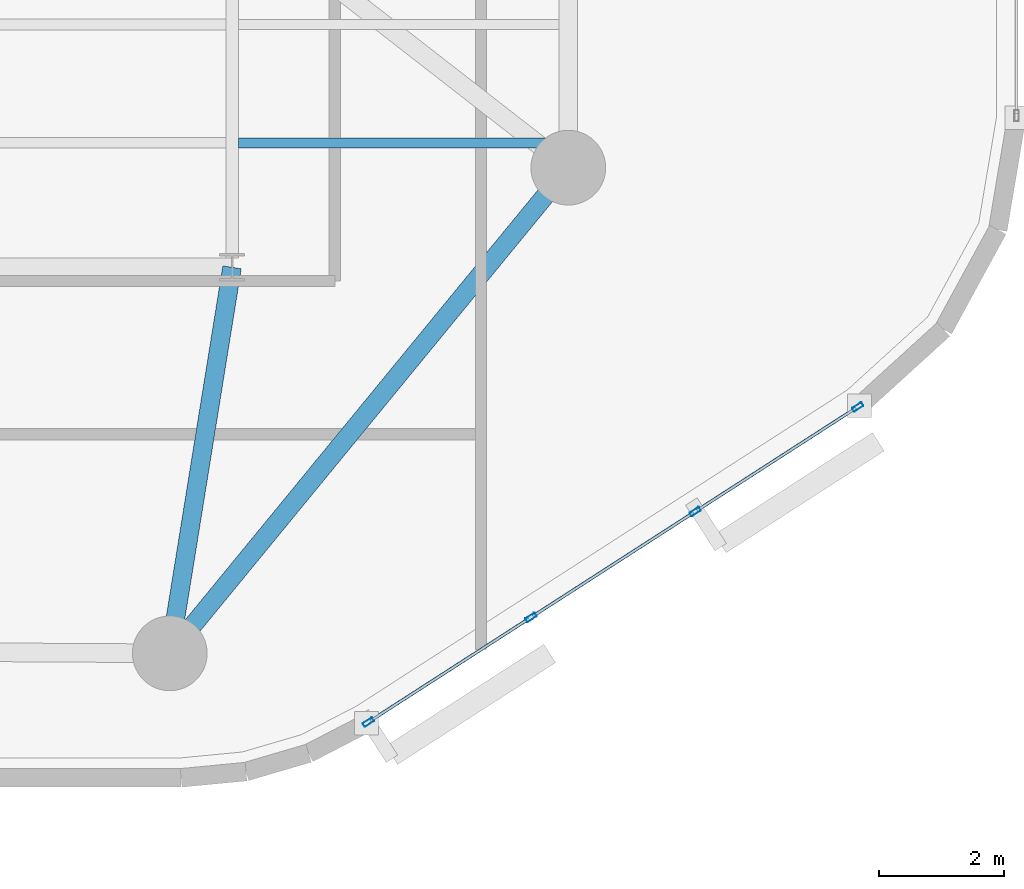
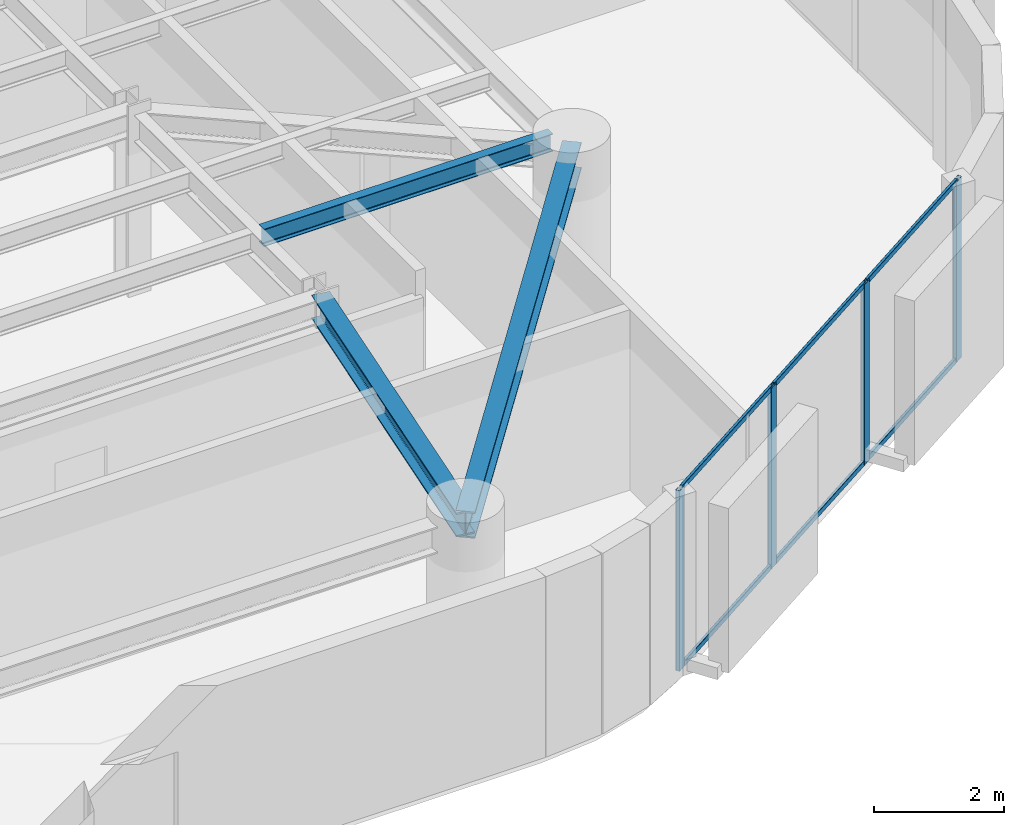
# One storey, part 2 of 15: 10 members, 3 beams, 1 element without a shape of its own.
"""IFC4 building model written with IfcOpenShell, lengths in metres."""

import ifcopenshell
import ifcopenshell.guid

model = None  # the IFC model being written
_history = None  # IfcOwnerHistory: only IFC2X3 demands one
_inside = {}  # id of a spatial element -> (the spatial element, [elements in it])
_under = {}  # id of a project, library or spatial element -> (it, [spatial elements below it])
_declared = {}  # id of a project -> (the project, [libraries it declares])
_typed = {}  # id of a type object -> (the type object, [elements of that type])
_made_of = {}  # id of a material, layer set ... -> (it, [elements and type objects made of it])


def new_model(schema):
    """Start an empty IFC model of exactly this schema.

    Asked for "IFC4X3", IfcOpenShell would pick the latest addendum, in which some entities
    have other attributes; the version numbers below select the first issue.
    IFC2X3 requires an IfcOwnerHistory on every rooted entity: one is made here for all.
    """
    global model, _history
    if schema == "IFC4X3":
        model = ifcopenshell.file(schema_version=(4, 3, 0, 0))
    else:
        model = ifcopenshell.file(schema=schema)
    _inside.clear()
    _under.clear()
    _declared.clear()
    _typed.clear()
    _made_of.clear()
    _history = None
    if model.schema == "IFC2X3":
        org = make("IfcOrganization", Name="unknown")
        user = make(
            "IfcPersonAndOrganization",
            ThePerson=make("IfcPerson", FamilyName="unknown"),
            TheOrganization=org,
        )
        app = make(
            "IfcApplication",
            ApplicationDeveloper=org,
            Version="unknown",
            ApplicationFullName="unknown",
            ApplicationIdentifier="unknown",
        )
        _history = make(
            "IfcOwnerHistory",
            OwningUser=user,
            OwningApplication=app,
            ChangeAction="ADDED",
            CreationDate=0,
        )
    return model


def make(cls, **values):
    """One entity of the class cls with the attributes given. An attribute that is None is left unset."""
    return model.create_entity(
        cls, **{name: value for name, value in values.items() if value is not None}
    )


def rooted(cls, **values):
    """An entity with a GlobalId (a new one), such as an element, a storey or a relation."""
    return make(cls, GlobalId=ifcopenshell.guid.new(), OwnerHistory=_history, **values)


def si_unit(unit_type, name, prefix=None):
    """IfcSIUnit, for example si_unit("LENGTHUNIT", "METRE", prefix="MILLI")."""
    return make("IfcSIUnit", UnitType=unit_type, Prefix=prefix, Name=name)


def assignment(units):
    """IfcUnitAssignment: the units of a project."""
    return None if units is None else make("IfcUnitAssignment", Units=units)


def point(xyz):
    """IfcCartesianPoint."""
    return None if xyz is None else make("IfcCartesianPoint", Coordinates=xyz)


def direction(xyz):
    """IfcDirection."""
    return None if xyz is None else make("IfcDirection", DirectionRatios=xyz)


def frame(location, z_axis=None, x_axis=None):
    """IfcAxis2Placement3D, a coordinate frame: its origin and axes. An axis left out is left unset."""
    return make(
        "IfcAxis2Placement3D",
        Location=point(location),
        Axis=direction(z_axis),
        RefDirection=direction(x_axis),
    )


def frame_2d(location, x_axis=None):
    """IfcAxis2Placement2D, a coordinate frame in the plane: its origin and x axis."""
    return make(
        "IfcAxis2Placement2D", Location=point(location), RefDirection=direction(x_axis)
    )


def origin():
    """The frame at (0, 0, 0) with its axes left unset."""
    return frame((0.0, 0.0, 0.0))


def origin_2d():
    """The frame at (0, 0) in the plane with its x axis left unset."""
    return frame_2d((0.0, 0.0))


def place(relative_to, where):
    """IfcLocalPlacement: puts the frame where relative to a parent placement (None: the world)."""
    return make(
        "IfcLocalPlacement", PlacementRelTo=relative_to, RelativePlacement=where
    )


def context(
    kind, dimensions, precision=None, world=None, true_north=None, identifier=None
):
    """IfcGeometricRepresentationContext, for example the 3D "Model" context."""
    return make(
        "IfcGeometricRepresentationContext",
        ContextIdentifier=identifier,
        ContextType=kind,
        CoordinateSpaceDimension=dimensions,
        Precision=precision,
        WorldCoordinateSystem=world,
        TrueNorth=true_north,
    )


def subcontext(parent, identifier, kind, view, scale=None):
    """IfcGeometricRepresentationSubContext, for example "Body" below "Model"."""
    return make(
        "IfcGeometricRepresentationSubContext",
        ContextIdentifier=identifier,
        ContextType=kind,
        ParentContext=parent,
        TargetScale=scale,
        TargetView=view,
    )


def project(units=None, contexts=None):
    """IfcProject with its units and contexts."""
    return rooted(
        "IfcProject",
        Name="project",
        RepresentationContexts=contexts,
        UnitsInContext=assignment(units),
    )


def spatial(cls, under=None, at=None, **own):
    """A site, building, storey or space (cls), placed at a placement, below another one or the project."""
    s = rooted(cls, ObjectPlacement=at, **own)
    if under is not None:
        _under.setdefault(under.id(), (under, []))[1].append(s)
    return s


def profile(cls, at=None, kind="AREA", **sizes):
    """A parametric profile (cls). Its sizes go by their IFC names, for example OverallWidth=200.0."""
    return make(cls, ProfileType=kind, Position=at, **sizes)


def hollow_rectangle(**sizes):
    """IfcRectangleHollowProfileDef."""
    return profile("IfcRectangleHollowProfileDef", **sizes)


def i_section(**sizes):
    """IfcIShapeProfileDef."""
    return profile("IfcIShapeProfileDef", **sizes)


def extrude(swept, where, along, depth):
    """IfcExtrudedAreaSolid: the profile swept, set in the frame where, extruded along a direction by depth."""
    return make(
        "IfcExtrudedAreaSolid",
        SweptArea=swept,
        Position=where,
        ExtrudedDirection=direction(along),
        Depth=depth,
    )


def shape(context_of_items, identifier, shape_type, items):
    """IfcShapeRepresentation: the items that make up one representation, for example the "Body"."""
    return make(
        "IfcShapeRepresentation",
        ContextOfItems=context_of_items,
        RepresentationIdentifier=identifier,
        RepresentationType=shape_type,
        Items=items,
    )


def material(Name=None, Category=None):
    """IfcMaterial."""
    return make("IfcMaterial", Name=Name, Category=Category)


def layer(
    of_material, thickness, ventilated=None, Name=None, Category=None, Priority=None
):
    """IfcMaterialLayer: one layer of a wall or slab, of a material (None: an air gap)."""
    return make(
        "IfcMaterialLayer",
        Material=of_material,
        LayerThickness=thickness,
        IsVentilated=ventilated,
        Name=Name,
        Category=Category,
        Priority=Priority,
    )


def layer_set(layers, Name=None):
    """IfcMaterialLayerSet."""
    return make("IfcMaterialLayerSet", MaterialLayers=layers, LayerSetName=Name)


def material_profile(
    of_material, cross_section, Name=None, Category=None, Priority=None
):
    """IfcMaterialProfile: a cross section and its material."""
    return make(
        "IfcMaterialProfile",
        Name=Name,
        Material=of_material,
        Profile=cross_section,
        Priority=Priority,
        Category=Category,
    )


def profile_set(profiles, Name=None, composite=None):
    """IfcMaterialProfileSet."""
    return make(
        "IfcMaterialProfileSet",
        Name=Name,
        MaterialProfiles=profiles,
        CompositeProfile=composite,
    )


def made_of(thing, what):
    """Note that an element or type object is made of a material, layer set ...; save() writes the relation."""
    if what is not None:
        _made_of.setdefault(what.id(), (what, []))[1].append(thing)
    return thing


def type_object(cls, material=None, **own):
    """A type object (cls), such as IfcWallType, which elements share."""
    return made_of(rooted(cls, **own), material)


def element(
    cls,
    number,
    at=None,
    inside=None,
    cuts=None,
    type_object=None,
    material=None,
    context=None,
    identifier="Body",
    shape_type=None,
    held_by="IfcProductDefinitionShape",
    body=None,
    shapes=None,
    **own,
):
    """One element of the class cls, such as IfcWall. Its Tag is "e" and its number.

    at: its placement. inside: the storey or other place that contains it. cuts: it is an
    opening in that element (IfcRelVoidsElement). A single representation is given by context,
    identifier, shape_type and body (its items); several are given by shapes. held_by: the class
    of the entity that holds the representations. save() writes the other relations.
    """
    e = rooted(cls, Tag="e%d" % number, ObjectPlacement=at, **own)
    if body is not None:
        shapes = [shape(context, identifier, shape_type, body)]
    if shapes is not None:
        e.Representation = make(held_by, Representations=shapes)
    if inside is not None:
        _inside.setdefault(inside.id(), (inside, []))[1].append(e)
    if cuts is not None:
        rooted(
            "IfcRelVoidsElement", RelatingBuildingElement=cuts, RelatedOpeningElement=e
        )
    if type_object is not None:
        _typed.setdefault(type_object.id(), (type_object, []))[1].append(e)
    return made_of(e, material)


def aggregate(whole, parts):
    """IfcRelAggregates: a whole, such as a stair, and the parts it consists of."""
    return rooted("IfcRelAggregates", RelatingObject=whole, RelatedObjects=parts)


def save(model, path):
    """Write the relations noted so far, then the file.

    IfcRelAggregates (storeys below a building ...), IfcRelContainedInSpatialStructure (elements
    in a storey), IfcRelDefinesByType, IfcRelAssociatesMaterial and IfcRelDeclares: one each for
    every whole, place, type object, material and project.
    """
    for whole, parts in _under.values():
        aggregate(whole, parts)
    for where, things in _inside.values():
        rooted(
            "IfcRelContainedInSpatialStructure",
            RelatedElements=things,
            RelatingStructure=where,
        )
    for kind, things in _typed.values():
        rooted("IfcRelDefinesByType", RelatedObjects=things, RelatingType=kind)
    for what, things in _made_of.values():
        rooted("IfcRelAssociatesMaterial", RelatedObjects=things, RelatingMaterial=what)
    for by, libraries in _declared.values():
        rooted("IfcRelDeclares", RelatingContext=by, RelatedDefinitions=libraries)
    model.write(path)


model = new_model("IFC4")

# Units and contexts
model_context = context("Model", 3, precision=1e-05, world=origin(), true_north=direction((0.0, 1.0)))
body_context = subcontext(model_context, "Body", "Model", "MODEL_VIEW")
ifc_project = project(units=[si_unit("LENGTHUNIT", "METRE"), si_unit("AREAUNIT", "SQUARE_METRE"), si_unit("VOLUMEUNIT", "CUBIC_METRE"), si_unit("PLANEANGLEUNIT", "RADIAN"), si_unit("MASSUNIT", "GRAM", prefix="KILO")], contexts=[model_context])

# Site, building, storey
site_placement = place(None, origin())
site = spatial("IfcSite", under=ifc_project, at=site_placement, CompositionType="ELEMENT")
building_placement = place(site_placement, origin())
building = spatial("IfcBuilding", under=site, at=building_placement, Name="An Khanh Terracotta Commons", CompositionType="ELEMENT")
storey_placement = place(building_placement, frame((0.0, 0.0, 165.39990234375)))
storey = spatial("IfcBuildingStorey", under=building, at=storey_placement, Name="L43", CompositionType="ELEMENT", Elevation=165.39990234375)

# Beams
ifc_material_1 = material(Name="Steel S355J2", Category="steel")
ifc_material_profile_1 = material_profile(ifc_material_1, i_section(OverallWidth=0.300048828125, OverallDepth=0.449951171875, WebThickness=0.013916015625, FlangeThickness=0.02587890625, FilletRadius=0.027099609375, at=origin_2d()), Name="HEB450")
ifc_profile_set_1 = profile_set([ifc_material_profile_1], Name="Steel S355J2")
beam_type_1 = type_object("IfcBeamType", Name="BM-HEB450", PredefinedType="BEAM", material=ifc_profile_set_1)
beam_1_placement = place(storey_placement, frame((49.39990234375, 8.199951171875, 3.175048828125), z_axis=(0.159233661074, 0.987240923575, 0.0), x_axis=(-0.987240923575, 0.159233661074, 0.0)))
element("IfcBeam", 1, at=beam_1_placement, inside=storey, type_object=beam_type_1, Name="L43 Mega-Column Tie Girder 2", PredefinedType="BEAM", context=body_context, shape_type="SweptSolid", body=[
    extrude(i_section(OverallWidth=0.300048828125, OverallDepth=0.449951171875, WebThickness=0.013916015625, FlangeThickness=0.02587890625, FilletRadius=0.027099609375, at=origin_2d()), origin(), (0.0, 0.0, 1.0), 6.280029296875),
])
ifc_material_profile_2 = material_profile(ifc_material_1, i_section(OverallWidth=0.300048828125, OverallDepth=0.5, WebThickness=0.014404296875, FlangeThickness=0.028076171875, FilletRadius=0.027099609375, at=origin_2d()), Name="HEB500")
ifc_profile_set_2 = profile_set([ifc_material_profile_2], Name="Steel S355J2")
beam_type_2 = type_object("IfcBeamType", Name="BM-HEB500", PredefinedType="BEAM", material=ifc_profile_set_2)
beam_2_placement = place(storey_placement, frame((49.39990234375, 8.199951171875, 3.150146484375), z_axis=(0.634322915223, 0.7730681983, 0.0), x_axis=(-0.7730681983, 0.634322915223, 0.0)))
element("IfcBeam", 2, at=beam_2_placement, inside=storey, type_object=beam_type_2, Name="L43 Perimeter Ring Spandrel 2", PredefinedType="BEAM", context=body_context, shape_type="SweptSolid", body=[
    extrude(i_section(OverallWidth=0.300048828125, OverallDepth=0.5, WebThickness=0.014404296875, FlangeThickness=0.028076171875, FilletRadius=0.027099609375, at=origin_2d()), origin(), (0.0, 0.0, 1.0), 10.08984375),
])
ifc_material_profile_3 = material_profile(ifc_material_1, i_section(OverallWidth=0.159912109375, OverallDepth=0.330078125, WebThickness=0.007568359375, FlangeThickness=0.011474609375, FilletRadius=0.01806640625, at=origin_2d()), Name="IPE330")
ifc_profile_set_3 = profile_set([ifc_material_profile_3], Name="Steel S355J2")
beam_type_3 = type_object("IfcBeamType", Name="BM-IPE330", PredefinedType="JOIST", material=ifc_profile_set_3)
beam_3_placement = place(storey_placement, frame((50.5, 16.39990234375, 3.235107421875), z_axis=(1.0, 0.0, 0.0), x_axis=(0.0, 1.0, 0.0)))
element("IfcBeam", 3, at=beam_3_placement, inside=storey, type_object=beam_type_3, Name="L43 Riverfront Composite Joist 1", PredefinedType="JOIST", context=body_context, shape_type="SweptSolid", body=[
    extrude(i_section(OverallWidth=0.159912109375, OverallDepth=0.330078125, WebThickness=0.007568359375, FlangeThickness=0.011474609375, FilletRadius=0.01806640625, at=origin_2d()), origin(), (0.0, 0.0, 1.0), 5.14990234375),
])

# Curtain wall, members
ifc_material_2 = material(Name="Anodised Aluminium 6063-T6", Category="aluminium")
ifc_layer = layer(ifc_material_2, 0.2099609375, Name="Anodised Aluminium 6063-T6")
ifc_layer_set = layer_set([ifc_layer], Name="Anodised Aluminium 6063-T6")
curtain_wall_type = type_object("IfcCurtainWallType", Name="CW-SYS-03", PredefinedType="USERDEFINED", material=ifc_layer_set)
curtain_wall_placement = place(storey_placement, origin())
curtain_wall = element("IfcCurtainWall", 4, at=curtain_wall_placement, inside=storey, type_object=curtain_wall_type, Name="L43 CW-03 Unitised Curtain Wall CW-L43-08", ObjectType="UNITISED CURTAIN WALL", PredefinedType="USERDEFINED")
ifc_material_profile_4 = material_profile(ifc_material_2, hollow_rectangle(XDim=0.070068359375, YDim=0.179931640625, WallThickness=0.00390625, InnerFilletRadius=0.00390625, OuterFilletRadius=0.008056640625, at=origin_2d()), Name="RHS180x70x4")
ifc_profile_set_4 = profile_set([ifc_material_profile_4], Name="Anodised Aluminium 6063-T6")
member_type_1 = type_object("IfcMemberType", Name="CWM-RHS180x70x4", PredefinedType="MULLION", material=ifc_profile_set_4)
member_1_placement = place(storey_placement, frame((52.58935546875, 7.094970703125, 0.0), z_axis=(0.0, 0.0, 1.0), x_axis=(-0.541497931062, 0.840702081986, 0.0)))
member_1 = element("IfcMember", 5, at=member_1_placement, type_object=member_type_1, Name="CW-03 mullion 1", PredefinedType="MULLION", context=body_context, shape_type="SweptSolid", body=[
    extrude(hollow_rectangle(XDim=0.070068359375, YDim=0.179931640625, WallThickness=0.00390625, InnerFilletRadius=0.00390625, OuterFilletRadius=0.008056640625, at=origin_2d()), origin(), (0.0, 0.0, 1.0), 3.400146484375),
])
member_2_placement = place(storey_placement, frame((55.19921875, 8.77587890625, 0.0), z_axis=(0.0, 0.0, 1.0), x_axis=(-0.541497931062, 0.840702081986, 0.0)))
member_2 = element("IfcMember", 6, at=member_2_placement, type_object=member_type_1, Name="CW-03 mullion 2", PredefinedType="MULLION", context=body_context, shape_type="SweptSolid", body=[
    extrude(hollow_rectangle(XDim=0.070068359375, YDim=0.179931640625, WallThickness=0.00390625, InnerFilletRadius=0.00390625, OuterFilletRadius=0.008056640625, at=origin_2d()), origin(), (0.0, 0.0, 1.0), 3.400146484375),
])
member_3_placement = place(storey_placement, frame((57.838623046875, 10.47607421875, 0.0), z_axis=(0.0, 0.0, 1.0), x_axis=(-0.541497931062, 0.840702081986, 0.0)))
member_3 = element("IfcMember", 7, at=member_3_placement, type_object=member_type_1, Name="CW-03 mullion 3", PredefinedType="MULLION", context=body_context, shape_type="SweptSolid", body=[
    extrude(hollow_rectangle(XDim=0.070068359375, YDim=0.179931640625, WallThickness=0.00390625, InnerFilletRadius=0.00390625, OuterFilletRadius=0.008056640625, at=origin_2d()), origin(), (0.0, 0.0, 1.0), 3.400146484375),
])
member_4_placement = place(storey_placement, frame((60.448486328125, 12.156982421875, 0.0), z_axis=(0.0, 0.0, 1.0), x_axis=(-0.541497931062, 0.840702081986, 0.0)))
member_4 = element("IfcMember", 8, at=member_4_placement, type_object=member_type_1, Name="CW-03 mullion 4", PredefinedType="MULLION", context=body_context, shape_type="SweptSolid", body=[
    extrude(hollow_rectangle(XDim=0.070068359375, YDim=0.179931640625, WallThickness=0.00390625, InnerFilletRadius=0.00390625, OuterFilletRadius=0.008056640625, at=origin_2d()), origin(), (0.0, 0.0, 1.0), 3.400146484375),
])
ifc_material_profile_5 = material_profile(ifc_material_2, hollow_rectangle(XDim=0.050048828125, YDim=0.10009765625, WallThickness=0.003173828125, InnerFilletRadius=0.003173828125, OuterFilletRadius=0.00634765625, at=origin_2d()), Name="RHS100x50x3.2")
ifc_profile_set_5 = profile_set([ifc_material_profile_5], Name="Anodised Aluminium 6063-T6")
member_type_2 = type_object("IfcMemberType", Name="CWT-RHS100x50x3.2", PredefinedType="USERDEFINED", material=ifc_profile_set_5)
member_5_placement = place(storey_placement, frame((52.618896484375, 7.114013671875, 0.025146484375), z_axis=(0.840710223453, 0.541485290826, 0.0), x_axis=(-0.541485290826, 0.840710223453, 0.0)))
member_5 = element("IfcMember", 9, at=member_5_placement, type_object=member_type_2, Name="CW-03 transom 1.1", ObjectType="TRANSOM", PredefinedType="USERDEFINED", context=body_context, shape_type="SweptSolid", body=[
    extrude(hollow_rectangle(XDim=0.050048828125, YDim=0.10009765625, WallThickness=0.003173828125, InnerFilletRadius=0.003173828125, OuterFilletRadius=0.00634765625, at=origin_2d()), origin(), (0.0, 0.0, 1.0), 3.034423828125),
])
member_6_placement = place(storey_placement, frame((52.618896484375, 7.114013671875, 3.375), z_axis=(0.840710223453, 0.541485290826, 0.0), x_axis=(-0.541485290826, 0.840710223453, 0.0)))
member_6 = element("IfcMember", 10, at=member_6_placement, type_object=member_type_2, Name="CW-03 transom 1.2", ObjectType="TRANSOM", PredefinedType="USERDEFINED", context=body_context, shape_type="SweptSolid", body=[
    extrude(hollow_rectangle(XDim=0.050048828125, YDim=0.10009765625, WallThickness=0.003173828125, InnerFilletRadius=0.003173828125, OuterFilletRadius=0.00634765625, at=origin_2d()), origin(), (0.0, 0.0, 1.0), 3.034423828125),
])
member_7_placement = place(storey_placement, frame((55.228759765625, 8.794921875, 0.025146484375), z_axis=(0.840707825526, 0.54148901383, 0.0), x_axis=(-0.54148901383, 0.840707825526, 0.0)))
member_7 = element("IfcMember", 11, at=member_7_placement, type_object=member_type_2, Name="CW-03 transom 2.1", ObjectType="TRANSOM", PredefinedType="USERDEFINED", context=body_context, shape_type="SweptSolid", body=[
    extrude(hollow_rectangle(XDim=0.050048828125, YDim=0.10009765625, WallThickness=0.003173828125, InnerFilletRadius=0.003173828125, OuterFilletRadius=0.00634765625, at=origin_2d()), origin(), (0.0, 0.0, 1.0), 3.069580078125),
])
member_8_placement = place(storey_placement, frame((55.228759765625, 8.794921875, 3.375), z_axis=(0.840707825526, 0.54148901383, 0.0), x_axis=(-0.54148901383, 0.840707825526, 0.0)))
member_8 = element("IfcMember", 12, at=member_8_placement, type_object=member_type_2, Name="CW-03 transom 2.2", ObjectType="TRANSOM", PredefinedType="USERDEFINED", context=body_context, shape_type="SweptSolid", body=[
    extrude(hollow_rectangle(XDim=0.050048828125, YDim=0.10009765625, WallThickness=0.003173828125, InnerFilletRadius=0.003173828125, OuterFilletRadius=0.00634765625, at=origin_2d()), origin(), (0.0, 0.0, 1.0), 3.069580078125),
])
member_9_placement = place(storey_placement, frame((57.8681640625, 10.494873046875, 0.025146484375), z_axis=(0.840673595852, 0.541542154626, 0.0), x_axis=(-0.541542154626, 0.840673595852, 0.0)))
member_9 = element("IfcMember", 13, at=member_9_placement, type_object=member_type_2, Name="CW-03 transom 3.1", ObjectType="TRANSOM", PredefinedType="USERDEFINED", context=body_context, shape_type="SweptSolid", body=[
    extrude(hollow_rectangle(XDim=0.050048828125, YDim=0.10009765625, WallThickness=0.003173828125, InnerFilletRadius=0.003173828125, OuterFilletRadius=0.00634765625, at=origin_2d()), origin(), (0.0, 0.0, 1.0), 3.034423828125),
])
member_10_placement = place(storey_placement, frame((57.8681640625, 10.494873046875, 3.375), z_axis=(0.840673595852, 0.541542154626, 0.0), x_axis=(-0.541542154626, 0.840673595852, 0.0)))
member_10 = element("IfcMember", 14, at=member_10_placement, type_object=member_type_2, Name="CW-03 transom 3.2", ObjectType="TRANSOM", PredefinedType="USERDEFINED", context=body_context, shape_type="SweptSolid", body=[
    extrude(hollow_rectangle(XDim=0.050048828125, YDim=0.10009765625, WallThickness=0.003173828125, InnerFilletRadius=0.003173828125, OuterFilletRadius=0.00634765625, at=origin_2d()), origin(), (0.0, 0.0, 1.0), 3.034423828125),
])
aggregate(curtain_wall, [member_1, member_2, member_3, member_4, member_5, member_6, member_7, member_8, member_9, member_10])

save(model, "model.ifc")
